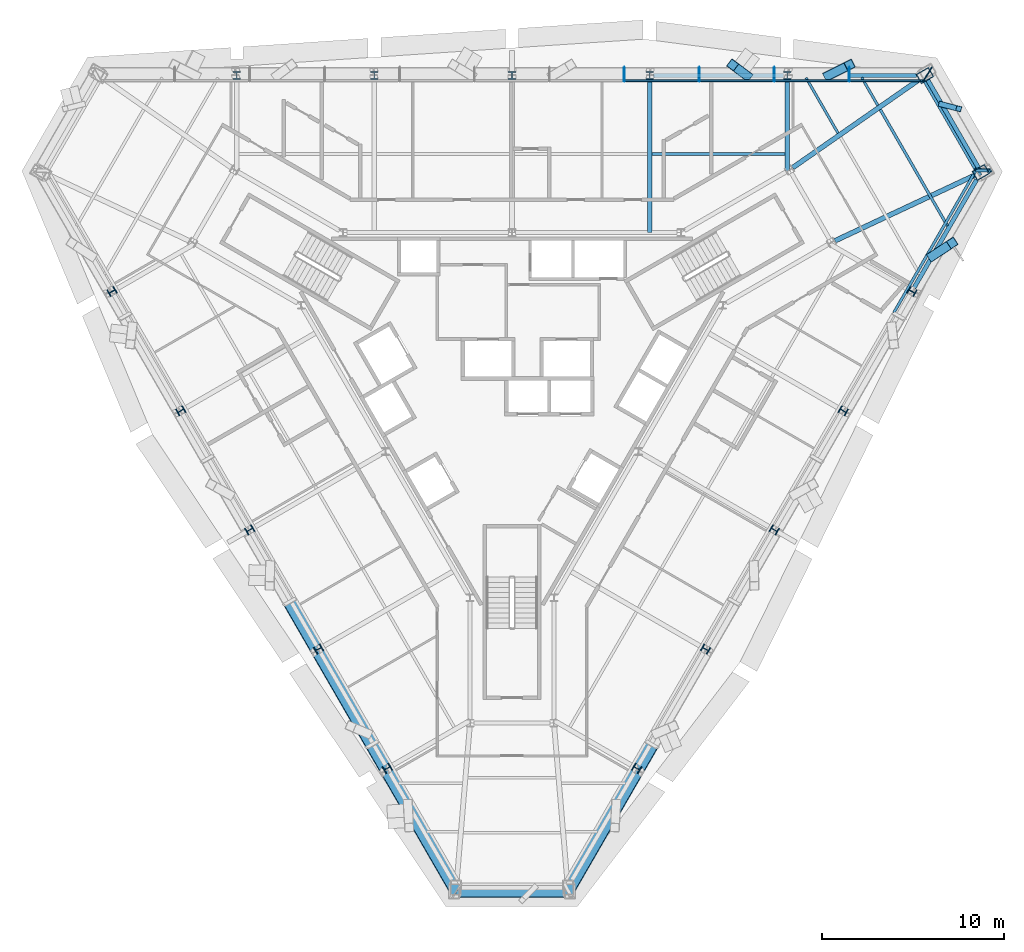
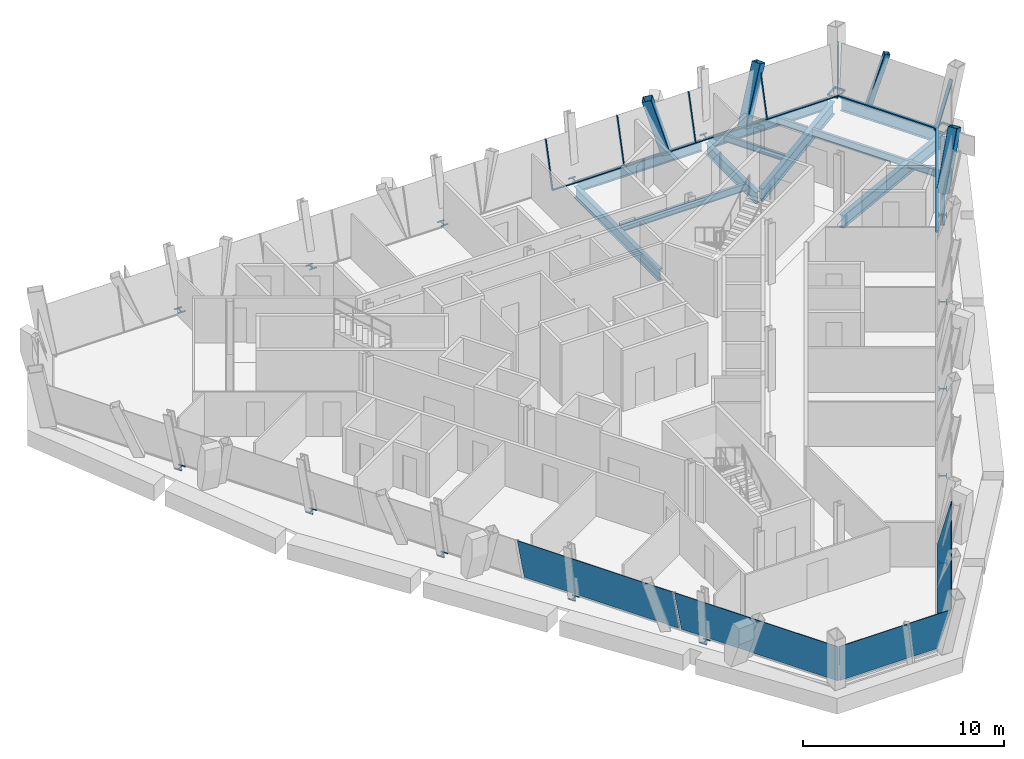
# One storey, part 4 of 11: 33 members, 12 beams, 4 plates, 5 elements without a shape of their own.
"""IFC4 building model written with IfcOpenShell, lengths in metres."""

from ifc_helpers import new_model, si_unit, direction, frame, origin, origin_2d, place, context, subcontext, project, spatial, polyline, rectangle, hollow_rectangle, i_section, outline, extrude, material, layer, layer_set, material_profile, profile_set, type_object, element, aggregate, save


model = new_model("IFC4")

# Units and contexts
model_context = context("Model", 3, precision=1e-05, world=origin(), true_north=direction((0.0, 1.0)))
body_context = subcontext(model_context, "Body", "Model", "MODEL_VIEW")
ifc_project = project(units=[si_unit("LENGTHUNIT", "METRE"), si_unit("AREAUNIT", "SQUARE_METRE"), si_unit("VOLUMEUNIT", "CUBIC_METRE"), si_unit("PLANEANGLEUNIT", "RADIAN"), si_unit("MASSUNIT", "GRAM", prefix="KILO")], contexts=[model_context])

# Site, building, storey
site_placement = place(None, origin())
site = spatial("IfcSite", under=ifc_project, at=site_placement, CompositionType="ELEMENT")
building_placement = place(site_placement, origin())
building = spatial("IfcBuilding", under=site, at=building_placement, Name="Verrane Prism Tower", CompositionType="ELEMENT")
storey_placement = place(building_placement, frame((0.0, 0.0, 156.199951171875)))
storey = spatial("IfcBuildingStorey", under=building, at=storey_placement, Name="L38", CompositionType="ELEMENT", Elevation=156.199951171875)

# Member
ifc_material_1 = material(Name="Steel A500 Grade C", Category="steel")
ifc_material_profile_1 = material_profile(ifc_material_1, hollow_rectangle(XDim=0.3046875, YDim=0.3046875, WallThickness=0.0126953125, InnerFilletRadius=0.00634765625, OuterFilletRadius=0.01904296875, at=origin_2d()), Name="HSS12x12x1/2")
ifc_profile_set_1 = profile_set([ifc_material_profile_1], Name="Steel A500 Grade C")
member_type_1 = type_object("IfcMemberType", Name="Chamfer brace HSS12x12x1/2", PredefinedType="BRACE", material=ifc_profile_set_1)
member_1_placement = place(storey_placement, frame((23.5498046875, 15.0361328125, -0.242431640625), z_axis=(0.291594677423, -0.075201915267, 0.953581258225), x_axis=(0.249727563096, 0.968316138578, 0.0)))
element("IfcMember", 1, at=member_1_placement, inside=storey, type_object=member_type_1, Name="Chamfer brace NE0 L38", PredefinedType="BRACE", context=body_context, shape_type="SweptSolid", body=[
    extrude(hollow_rectangle(XDim=0.3046875, YDim=0.3046875, WallThickness=0.0126953125, InnerFilletRadius=0.00634765625, OuterFilletRadius=0.01904296875, at=origin_2d()), origin(), (0.0, 0.0, 1.0), 3.259521484375),
])

# Beams
ifc_material_2 = material(Name="Steel A992", Category="steel")
ifc_material_profile_2 = material_profile(ifc_material_2, i_section(OverallWidth=0.2666015625, OverallDepth=0.7568359375, WebThickness=0.013916015625, FlangeThickness=0.019287109375, FilletRadius=0.0166015625, at=origin_2d()), Name="W30x108")
ifc_profile_set_2 = profile_set([ifc_material_profile_2], Name="Steel A992")
beam_type_1 = type_object("IfcBeamType", Name="Chamfer spandrel beam W30x108", PredefinedType="SPANDREL", material=ifc_profile_set_2)
beam_1_placement = place(storey_placement, frame((25.559814453125, 11.559814453125, -0.538330078125), z_axis=(-0.50050398262, 0.865734233689, 0.0), x_axis=(-0.865734233689, -0.50050398262, 0.0)))
element("IfcBeam", 2, at=beam_1_placement, inside=storey, type_object=beam_type_1, Name="Chamfer spandrel beam L38", PredefinedType="SPANDREL", context=body_context, shape_type="SweptSolid", body=[
    extrude(i_section(OverallWidth=0.2666015625, OverallDepth=0.7568359375, WebThickness=0.013916015625, FlangeThickness=0.019287109375, FilletRadius=0.0166015625, at=origin_2d()), origin(), (0.0, 0.0, 1.0), 5.533447265625),
])
ifc_material_3 = material(Name="Steel A992", Category="steel")
ifc_material_profile_3 = material_profile(ifc_material_3, i_section(OverallWidth=0.2666015625, OverallDepth=0.76708984375, WebThickness=0.014892578125, FlangeThickness=0.023681640625, FilletRadius=0.0166015625, at=origin_2d()), Name="W30x124")
ifc_profile_set_3 = profile_set([ifc_material_profile_3], Name="Steel A992")
beam_type_2 = type_object("IfcBeamType", Name="Corner girder W30x124", PredefinedType="BEAM", material=ifc_profile_set_3)
beam_2_placement = place(storey_placement, frame((25.702392578125, 11.29638671875, -0.603515625), z_axis=(-0.905415091001, -0.424527399571, 0.0), x_axis=(0.424527399571, -0.905415091001, 0.0)))
element("IfcBeam", 3, at=beam_2_placement, inside=storey, type_object=beam_type_2, Name="Corner girder L38", PredefinedType="BEAM", context=body_context, shape_type="SweptSolid", body=[
    extrude(i_section(OverallWidth=0.2666015625, OverallDepth=0.76708984375, WebThickness=0.014892578125, FlangeThickness=0.023681640625, FilletRadius=0.0166015625, at=origin_2d()), origin(), (0.0, 0.0, 1.0), 8.828125),
])
beam_3_placement = place(storey_placement, frame((22.310546875, 16.380615234375, -0.603515625), z_axis=(-0.820467710787, -0.571692868204, 0.0), x_axis=(0.571692868204, -0.820467710787, 0.0)))
element("IfcBeam", 4, at=beam_3_placement, inside=storey, type_object=beam_type_2, Name="Corner girder L38", PredefinedType="BEAM", context=body_context, shape_type="SweptSolid", body=[
    extrude(i_section(OverallWidth=0.2666015625, OverallDepth=0.76708984375, WebThickness=0.014892578125, FlangeThickness=0.023681640625, FilletRadius=0.0166015625, at=origin_2d()), origin(), (0.0, 0.0, 1.0), 8.432861328125),
])

# Members
ifc_material_4 = material(Name="Steel A500 Grade C", Category="steel")
ifc_material_profile_4 = material_profile(ifc_material_4, hollow_rectangle(XDim=0.508056640625, YDim=0.508056640625, WallThickness=0.01904296875, InnerFilletRadius=0.009521484375, OuterFilletRadius=0.028564453125, at=origin_2d()), Name="HSS20x20x3/4")
ifc_profile_set_4 = profile_set([ifc_material_profile_4], Name="Steel A500 Grade C")
member_type_2 = type_object("IfcMemberType", Name="Facade brace HSS20x20x3/4", PredefinedType="BRACE", material=ifc_profile_set_4)
member_2_placement = place(storey_placement, frame((17.346435546875, 16.610107421875, -0.216552734375), z_axis=(0.338411734481, 0.169276575919, 0.925647308002), x_axis=(-0.447363084018, 0.894352431124, 0.0)))
element("IfcMember", 5, at=member_2_placement, inside=storey, type_object=member_type_2, Name="Facade brace N0 L38", PredefinedType="BRACE", context=body_context, shape_type="SweptSolid", body=[
    extrude(hollow_rectangle(XDim=0.508056640625, YDim=0.508056640625, WallThickness=0.01904296875, InnerFilletRadius=0.009521484375, OuterFilletRadius=0.028564453125, at=origin_2d()), origin(), (0.0, 0.0, 1.0), 3.452880859375),
])
member_3_placement = place(storey_placement, frame((12.88134765625, 16.610107421875, -0.216552734375), z_axis=(-0.233445912657, 0.174920035963, 0.956507180779), x_axis=(-0.599639253753, -0.80027043264, 0.0)))
element("IfcMember", 6, at=member_3_placement, inside=storey, type_object=member_type_2, Name="Facade brace N1 L38", PredefinedType="BRACE", context=body_context, shape_type="SweptSolid", body=[
    extrude(hollow_rectangle(XDim=0.508056640625, YDim=0.508056640625, WallThickness=0.01904296875, InnerFilletRadius=0.009521484375, OuterFilletRadius=0.028564453125, at=origin_2d()), origin(), (0.0, 0.0, 1.0), 3.34130859375),
])
member_4_placement = place(storey_placement, frame((23.055908203125, 6.715087890625, -0.216552734375), z_axis=(0.31514104765, 0.207688914904, 0.92604073059), x_axis=(-0.550280695581, 0.834979733928, 0.0)))
element("IfcMember", 7, at=member_4_placement, inside=storey, type_object=member_type_2, Name="Facade brace SE5 L38", PredefinedType="BRACE", context=body_context, shape_type="SweptSolid", body=[
    extrude(hollow_rectangle(XDim=0.508056640625, YDim=0.508056640625, WallThickness=0.01904296875, InnerFilletRadius=0.009521484375, OuterFilletRadius=0.028564453125, at=origin_2d()), origin(), (0.0, 0.0, 1.0), 3.451416015625),
])

# Beams
ifc_material_5 = material(Name="Steel A992", Category="steel")
ifc_material_profile_5 = material_profile(ifc_material_5, i_section(OverallWidth=0.140380859375, OverallDepth=0.40380859375, WebThickness=0.007080078125, FlangeThickness=0.01123046875, FilletRadius=0.01025390625, at=origin_2d()), Name="W16x31")
ifc_profile_set_5 = profile_set([ifc_material_profile_5], Name="Steel A992")
beam_type_3 = type_object("IfcBeamType", Name="Floor beam W16x31", PredefinedType="BEAM", material=ifc_profile_set_5)
beam_4_placement = place(storey_placement, frame((20.0615234375, 14.97607421875, -0.36181640625), z_axis=(-0.499971461383, 0.866041879935, 0.0), x_axis=(-0.866041879935, -0.499971461383, 0.0)))
element("IfcBeam", 8, at=beam_4_placement, inside=storey, type_object=beam_type_3, Name="Floor beam L38", PredefinedType="BEAM", context=body_context, shape_type="SweptSolid", body=[
    extrude(i_section(OverallWidth=0.140380859375, OverallDepth=0.40380859375, WebThickness=0.007080078125, FlangeThickness=0.01123046875, FilletRadius=0.01025390625, at=origin_2d()), origin(), (0.0, 0.0, 1.0), 1.75390625),
])
beam_5_placement = place(storey_placement, frame((17.87939453125, 13.455810546875, -0.36181640625), z_axis=(-0.499977381828, 0.866038461998, 0.0), x_axis=(-0.866038461998, -0.499977381828, 0.0)))
element("IfcBeam", 9, at=beam_5_placement, inside=storey, type_object=beam_type_3, Name="Floor beam L38", PredefinedType="BEAM", context=body_context, shape_type="SweptSolid", body=[
    extrude(i_section(OverallWidth=0.140380859375, OverallDepth=0.40380859375, WebThickness=0.007080078125, FlangeThickness=0.01123046875, FilletRadius=0.01025390625, at=origin_2d()), origin(), (0.0, 0.0, 1.0), 3.509521484375),
])
ifc_material_6 = material(Name="Steel A992", Category="steel")
ifc_material_profile_6 = material_profile(ifc_material_6, i_section(OverallWidth=0.15234375, OverallDepth=0.449462890625, WebThickness=0.007568359375, FlangeThickness=0.0107421875, FilletRadius=0.01025390625, at=origin_2d()), Name="W18x35")
ifc_profile_set_6 = profile_set([ifc_material_profile_6], Name="Steel A992")
beam_type_4 = type_object("IfcBeamType", Name="Floor beam W18x35", PredefinedType="BEAM", material=ifc_profile_set_6)
beam_6_placement = place(storey_placement, frame((7.677001953125, 12.304931640625, -0.384765625), z_axis=(1.0, 0.0, 0.0), x_axis=(0.0, 1.0, 0.0)))
element("IfcBeam", 10, at=beam_6_placement, inside=storey, type_object=beam_type_4, Name="Floor beam L38", PredefinedType="BEAM", context=body_context, shape_type="SweptSolid", body=[
    extrude(i_section(OverallWidth=0.15234375, OverallDepth=0.449462890625, WebThickness=0.007568359375, FlangeThickness=0.0107421875, FilletRadius=0.01025390625, at=origin_2d()), origin(), (0.0, 0.0, 1.0), 7.2958984375),
])
beam_7_placement = place(storey_placement, frame((23.880126953125, 8.368408203125, -0.384765625), z_axis=(-0.500011344903, 0.866018853703, 0.0), x_axis=(-0.866018853703, -0.500011344903, 0.0)))
element("IfcBeam", 11, at=beam_7_placement, inside=storey, type_object=beam_type_4, Name="Floor beam L38", PredefinedType="BEAM", context=body_context, shape_type="SweptSolid", body=[
    extrude(i_section(OverallWidth=0.15234375, OverallDepth=0.449462890625, WebThickness=0.007568359375, FlangeThickness=0.0107421875, FilletRadius=0.01025390625, at=origin_2d()), origin(), (0.0, 0.0, 1.0), 7.364013671875),
])

# Members
ifc_material_7 = material(Name="Steel A572 Grade 50", Category="steel")
ifc_material_profile_7 = material_profile(ifc_material_7, hollow_rectangle(XDim=0.60009765625, YDim=0.800048828125, WallThickness=0.050048828125, at=origin_2d()), Name="BOX 800x600x50")
ifc_profile_set_7 = profile_set([ifc_material_profile_7], Name="Steel A572 Grade 50")
member_type_3 = type_object("IfcMemberType", Name="Kink node BOX 800x600x50", PredefinedType="COLLAR", material=ifc_profile_set_7)
for number, where, z_axis, x_axis, name in (
    (12, (25.717041015625, 11.300048828125, -0.06494140625), (0.0, 0.0, 1.0), (0.5, -0.866025403784, 0.0), "Kink node MC4 L38"),
    (13, (22.6435546875, 16.6162109375, -0.06494140625), (0.0, 0.0, 1.0), (0.5, -0.866025403784, 0.0), "Kink node MC4 L38"),
):
    element("IfcMember", number, at=place(storey_placement, frame(where, z_axis=z_axis, x_axis=x_axis)), inside=storey, type_object=member_type_3, Name=name, PredefinedType="COLLAR", context=body_context, shape_type="SweptSolid", body=[
        extrude(hollow_rectangle(XDim=0.60009765625, YDim=0.800048828125, WallThickness=0.050048828125, at=origin_2d()), origin(), (0.0, 0.0, 1.0), 0.1298828125),
    ])
ifc_material_8 = material(Name="Steel A992", Category="steel")
ifc_material_profile_8 = material_profile(ifc_material_8, i_section(OverallWidth=0.411376953125, OverallDepth=0.434326171875, WebThickness=0.035888671875, FlangeThickness=0.057373046875, FilletRadius=0.01513671875, at=origin_2d()), Name="W14x311")
ifc_profile_set_8 = profile_set([ifc_material_profile_8], Name="Steel A992")
member_type_4 = type_object("IfcMemberType", Name="Kink node W14x311", PredefinedType="COLLAR", material=ifc_profile_set_8)
member_5_placement = place(storey_placement, frame((15.101318359375, 16.61376953125, -0.0400390625), z_axis=(0.0, 0.0, 1.0), x_axis=(1.0, 0.0, 0.0)))
element("IfcMember", 14, at=member_5_placement, inside=storey, type_object=member_type_4, Name="Kink node PC6 L38", PredefinedType="COLLAR", context=body_context, shape_type="SweptSolid", body=[
    extrude(i_section(OverallWidth=0.411376953125, OverallDepth=0.434326171875, WebThickness=0.035888671875, FlangeThickness=0.057373046875, FilletRadius=0.01513671875, at=origin_2d()), origin(), (0.0, 0.0, 1.0), 0.080078125),
])
for number, where, z_axis, x_axis, name in (
    (15, (7.550537109375, 16.61328125, -0.034912109375), (0.0, 0.0, 1.0), (1.0, 0.0, 0.0), "Kink node PC6 L38"),
    (16, (0.0, 16.61328125, -0.034912109375), (0.0, 0.0, 1.0), (1.0, 0.0, 0.0), "Kink node PC6 L38"),
    (17, (-7.550537109375, 16.61328125, -0.034912109375), (0.0, 0.0, 1.0), (1.0, 0.0, 0.0), "Kink node PC6 L38"),
):
    element("IfcMember", number, at=place(storey_placement, frame(where, z_axis=z_axis, x_axis=x_axis)), inside=storey, type_object=member_type_4, Name=name, PredefinedType="COLLAR", context=body_context, shape_type="SweptSolid", body=[
        extrude(i_section(OverallWidth=0.411376953125, OverallDepth=0.434326171875, WebThickness=0.035888671875, FlangeThickness=0.057373046875, FilletRadius=0.01513671875, at=origin_2d()), origin(), (0.0, 0.0, 1.0), 0.070068359375),
    ])
for number, where, z_axis, x_axis, name in (
    (18, (-15.101318359375, 16.61376953125, -0.0400390625), (0.0, 0.0, 1.0), (1.0, 0.0, 0.0), "Kink node PC6 L38"),
    (19, (6.842529296875, -21.38330078125, -0.0400390625), (0.0, 0.0, 1.0), (-0.5, -0.866025403784, 0.0), "Kink node PC6 L38"),
):
    element("IfcMember", number, at=place(storey_placement, frame(where, z_axis=z_axis, x_axis=x_axis)), inside=storey, type_object=member_type_4, Name=name, PredefinedType="COLLAR", context=body_context, shape_type="SweptSolid", body=[
        extrude(i_section(OverallWidth=0.411376953125, OverallDepth=0.434326171875, WebThickness=0.035888671875, FlangeThickness=0.057373046875, FilletRadius=0.01513671875, at=origin_2d()), origin(), (0.0, 0.0, 1.0), 0.080078125),
    ])
for number, where, z_axis, x_axis, name in (
    (20, (10.612548828125, -14.84228515625, -0.034912109375), (0.0, 0.0, 1.0), (-0.5, -0.866025403784, 0.0), "Kink node PC6 L38"),
    (21, (14.3828125, -8.3017578125, -0.034912109375), (0.0, 0.0, 1.0), (-0.5, -0.866025403784, 0.0), "Kink node PC6 L38"),
    (22, (18.1630859375, -1.77099609375, -0.034912109375), (0.0, 0.0, 1.0), (-0.5, -0.866025403784, 0.0), "Kink node PC6 L38"),
):
    element("IfcMember", number, at=place(storey_placement, frame(where, z_axis=z_axis, x_axis=x_axis)), inside=storey, type_object=member_type_4, Name=name, PredefinedType="COLLAR", context=body_context, shape_type="SweptSolid", body=[
        extrude(i_section(OverallWidth=0.411376953125, OverallDepth=0.434326171875, WebThickness=0.035888671875, FlangeThickness=0.057373046875, FilletRadius=0.01513671875, at=origin_2d()), origin(), (0.0, 0.0, 1.0), 0.070068359375),
    ])
for number, where, z_axis, x_axis, name in (
    (23, (21.93408203125, 4.769287109375, -0.0400390625), (0.0, 0.0, 1.0), (-0.5, -0.866025403784, 0.0), "Kink node PC6 L38"),
    (24, (-21.93408203125, 4.769287109375, -0.0400390625), (0.0, 0.0, 1.0), (-0.5, 0.866025403784, 0.0), "Kink node PC6 L38"),
):
    element("IfcMember", number, at=place(storey_placement, frame(where, z_axis=z_axis, x_axis=x_axis)), inside=storey, type_object=member_type_4, Name=name, PredefinedType="COLLAR", context=body_context, shape_type="SweptSolid", body=[
        extrude(i_section(OverallWidth=0.411376953125, OverallDepth=0.434326171875, WebThickness=0.035888671875, FlangeThickness=0.057373046875, FilletRadius=0.01513671875, at=origin_2d()), origin(), (0.0, 0.0, 1.0), 0.080078125),
    ])
for number, where, z_axis, x_axis, name in (
    (25, (-18.1630859375, -1.77099609375, -0.034912109375), (0.0, 0.0, 1.0), (-0.5, 0.866025403784, 0.0), "Kink node PC6 L38"),
    (26, (-14.3828125, -8.3017578125, -0.034912109375), (0.0, 0.0, 1.0), (-0.5, 0.866025403784, 0.0), "Kink node PC6 L38"),
    (27, (-10.612548828125, -14.84228515625, -0.034912109375), (0.0, 0.0, 1.0), (-0.5, 0.866025403784, 0.0), "Kink node PC6 L38"),
):
    element("IfcMember", number, at=place(storey_placement, frame(where, z_axis=z_axis, x_axis=x_axis)), inside=storey, type_object=member_type_4, Name=name, PredefinedType="COLLAR", context=body_context, shape_type="SweptSolid", body=[
        extrude(i_section(OverallWidth=0.411376953125, OverallDepth=0.434326171875, WebThickness=0.035888671875, FlangeThickness=0.057373046875, FilletRadius=0.01513671875, at=origin_2d()), origin(), (0.0, 0.0, 1.0), 0.070068359375),
    ])
member_6_placement = place(storey_placement, frame((-6.842529296875, -21.38330078125, -0.0400390625), z_axis=(0.0, 0.0, 1.0), x_axis=(-0.5, 0.866025403784, 0.0)))
element("IfcMember", 28, at=member_6_placement, inside=storey, type_object=member_type_4, Name="Kink node PC6 L38", PredefinedType="COLLAR", context=body_context, shape_type="SweptSolid", body=[
    extrude(i_section(OverallWidth=0.411376953125, OverallDepth=0.434326171875, WebThickness=0.035888671875, FlangeThickness=0.057373046875, FilletRadius=0.01513671875, at=origin_2d()), origin(), (0.0, 0.0, 1.0), 0.080078125),
])

# Curtain wall, members
ifc_material_9 = material(Name="Aluminium framed insulated glazing", Category="aluminium")
curtain_wall_type_1 = type_object("IfcCurtainWallType", Name="Curtain wall CW-C 4200 module", PredefinedType="NOTDEFINED", material=ifc_material_9)
curtain_wall_1_placement = place(storey_placement, origin())
curtain_wall_1 = element("IfcCurtainWall", 29, at=curtain_wall_1_placement, inside=storey, type_object=curtain_wall_type_1, Name="Glazed curtain wall north face L38", PredefinedType="NOTDEFINED")
ifc_material_10 = material(Name="Aluminium alloy 6063-T6", Category="aluminium")
ifc_material_profile_9 = material_profile(ifc_material_10, rectangle(XDim=0.139892578125, YDim=0.050048828125, at=origin_2d()), Name="Mullion 50x140 aluminium")
ifc_profile_set_9 = profile_set([ifc_material_profile_9], Name="Aluminium alloy 6063-T6")
member_type_5 = type_object("IfcMemberType", Name="Mullion 50x140 aluminium", PredefinedType="MULLION", material=ifc_profile_set_9)
member_7_placement = place(storey_placement, frame((22.57470703125, 16.3310546875, 0.0), z_axis=(0.15142416733, 0.246947148882, 0.957124770972), x_axis=(0.500323920507, 0.815943504035, -0.28967597897)))
member_7 = element("IfcMember", 30, at=member_7_placement, type_object=member_type_5, Name="CW36.2 mullion 1", PredefinedType="MULLION", context=body_context, shape_type="SweptSolid", body=[
    extrude(rectangle(XDim=0.139892578125, YDim=0.050048828125, at=origin_2d()), origin(), (0.0, 0.0, 1.0), 2.83447265625),
])
member_8_placement = place(storey_placement, frame((18.490478515625, 16.3310546875, 0.0), z_axis=(0.0, 0.249827945556, 0.968290244513), x_axis=(0.0, 0.968290244513, -0.249827945556)))
member_8 = element("IfcMember", 31, at=member_8_placement, type_object=member_type_5, Name="CW36.2 mullion 2", PredefinedType="MULLION", context=body_context, shape_type="SweptSolid", body=[
    extrude(rectangle(XDim=0.139892578125, YDim=0.050048828125, at=origin_2d()), origin(), (0.0, 0.0, 1.0), 2.8017578125),
])
member_9_placement = place(storey_placement, frame((14.381591796875, 16.3310546875, 0.0), z_axis=(0.0, 0.249827945556, 0.968290244513), x_axis=(0.0, 0.968290244513, -0.249827945556)))
member_9 = element("IfcMember", 32, at=member_9_placement, type_object=member_type_5, Name="CW36.2 mullion 3", PredefinedType="MULLION", context=body_context, shape_type="SweptSolid", body=[
    extrude(rectangle(XDim=0.139892578125, YDim=0.050048828125, at=origin_2d()), origin(), (0.0, 0.0, 1.0), 2.8017578125),
])
member_10_placement = place(storey_placement, frame((10.2724609375, 16.3310546875, 0.0), z_axis=(0.0, 0.249827945556, 0.968290244513), x_axis=(0.0, 0.968290244513, -0.249827945556)))
member_10 = element("IfcMember", 33, at=member_10_placement, type_object=member_type_5, Name="CW36.2 mullion 4", PredefinedType="MULLION", context=body_context, shape_type="SweptSolid", body=[
    extrude(rectangle(XDim=0.139892578125, YDim=0.050048828125, at=origin_2d()), origin(), (0.0, 0.0, 1.0), 2.8017578125),
])
member_11_placement = place(storey_placement, frame((6.16357421875, 16.3310546875, 0.0), z_axis=(0.0, 0.249827945556, 0.968290244513), x_axis=(0.0, 0.968290244513, -0.249827945556)))
member_11 = element("IfcMember", 34, at=member_11_placement, type_object=member_type_5, Name="CW36.2 mullion 5", PredefinedType="MULLION", context=body_context, shape_type="SweptSolid", body=[
    extrude(rectangle(XDim=0.139892578125, YDim=0.050048828125, at=origin_2d()), origin(), (0.0, 0.0, 1.0), 2.8017578125),
])

# Curtain wall, member
ifc_material_11 = material(Name="Aluminium framed insulated glazing", Category="aluminium")
curtain_wall_type_2 = type_object("IfcCurtainWallType", Name="Curtain wall CW-A 8400 module", PredefinedType="NOTDEFINED", material=ifc_material_11)
curtain_wall_2_placement = place(storey_placement, origin())
curtain_wall_2 = element("IfcCurtainWall", 35, at=curtain_wall_2_placement, inside=storey, type_object=curtain_wall_type_2, Name="Glazed curtain wall north-east corner L38", PredefinedType="NOTDEFINED")
ifc_material_12 = material(Name="Aluminium alloy 6063-T6", Category="aluminium")
ifc_material_profile_10 = material_profile(ifc_material_12, rectangle(XDim=0.199951171875, YDim=0.070068359375, at=origin_2d()), Name="Mullion 70x200 aluminium")
ifc_profile_set_10 = profile_set([ifc_material_profile_10], Name="Aluminium alloy 6063-T6")
member_type_6 = type_object("IfcMemberType", Name="Mullion 70x200 aluminium", PredefinedType="MULLION", material=ifc_profile_set_10)
member_12_placement = place(storey_placement, frame((25.42529296875, 11.4365234375, 0.0), z_axis=(0.291230931481, -0.01058865048, 0.956594179906), x_axis=(0.446517859967, -0.882830475184, -0.145712569179)))
member_12 = element("IfcMember", 36, at=member_12_placement, type_object=member_type_6, Name="CW36.1 mullion 1", PredefinedType="MULLION", context=body_context, shape_type="SweptSolid", body=[
    extrude(rectangle(XDim=0.199951171875, YDim=0.070068359375, at=origin_2d()), origin(), (0.0, 0.0, 1.0), 2.8359375),
])

# Beams
ifc_material_13 = material(Name="Steel A992", Category="steel")
ifc_material_profile_11 = material_profile(ifc_material_13, i_section(OverallWidth=0.25390625, OverallDepth=0.683349609375, WebThickness=0.012451171875, FlangeThickness=0.01904296875, FilletRadius=0.01513671875, at=origin_2d()), Name="W27x94")
ifc_profile_set_11 = profile_set([ifc_material_profile_11], Name="Steel A992")
beam_type_5 = type_object("IfcBeamType", Name="Radial girder W27x94", PredefinedType="BEAM", material=ifc_profile_set_11)
beam_8_placement = place(storey_placement, frame((15.10009765625, 16.392822265625, -0.5615234375), z_axis=(0.0, -1.0, 0.0), x_axis=(1.0, 0.0, 0.0)))
element("IfcBeam", 37, at=beam_8_placement, inside=storey, type_object=beam_type_5, Name="Radial girder L38", PredefinedType="BEAM", context=body_context, shape_type="SweptSolid", body=[
    extrude(i_section(OverallWidth=0.25390625, OverallDepth=0.683349609375, WebThickness=0.012451171875, FlangeThickness=0.01904296875, FilletRadius=0.01513671875, at=origin_2d()), origin(), (0.0, 0.0, 1.0), 5.022216796875),
])
beam_9_placement = place(storey_placement, frame((7.550048828125, 16.392822265625, -0.5615234375), z_axis=(0.0, -1.0, 0.0), x_axis=(1.0, 0.0, 0.0)))
element("IfcBeam", 38, at=beam_9_placement, inside=storey, type_object=beam_type_5, Name="Radial girder L38", PredefinedType="BEAM", context=body_context, shape_type="SweptSolid", body=[
    extrude(i_section(OverallWidth=0.25390625, OverallDepth=0.683349609375, WebThickness=0.012451171875, FlangeThickness=0.01904296875, FilletRadius=0.01513671875, at=origin_2d()), origin(), (0.0, 0.0, 1.0), 8.392822265625),
])
ifc_material_14 = material(Name="Steel A992", Category="steel")
ifc_material_profile_12 = material_profile(ifc_material_14, i_section(OverallWidth=0.23046875, OverallDepth=0.6171875, WebThickness=0.01318359375, FlangeThickness=0.022216796875, FilletRadius=0.012939453125, at=origin_2d()), Name="W24x94")
ifc_profile_set_12 = profile_set([ifc_material_profile_12], Name="Steel A992")
beam_type_6 = type_object("IfcBeamType", Name="Spandrel beam W24x94", PredefinedType="SPANDREL", material=ifc_profile_set_12)
beam_10_placement = place(storey_placement, frame((22.177978515625, 16.610107421875, -0.468505859375), z_axis=(-1.0, 0.0, 0.0), x_axis=(0.0, -1.0, 0.0)))
element("IfcBeam", 39, at=beam_10_placement, inside=storey, type_object=beam_type_6, Name="Spandrel beam L38", PredefinedType="SPANDREL", context=body_context, shape_type="SweptSolid", body=[
    extrude(i_section(OverallWidth=0.23046875, OverallDepth=0.6171875, WebThickness=0.01318359375, FlangeThickness=0.022216796875, FilletRadius=0.012939453125, at=origin_2d()), origin(), (0.0, 0.0, 1.0), 6.872314453125),
])
beam_11_placement = place(storey_placement, frame((14.894287109375, 16.610107421875, -0.468505859375), z_axis=(-1.0, 0.0, 0.0), x_axis=(0.0, -1.0, 0.0)))
element("IfcBeam", 40, at=beam_11_placement, inside=storey, type_object=beam_type_6, Name="Spandrel beam L38", PredefinedType="SPANDREL", context=body_context, shape_type="SweptSolid", body=[
    extrude(i_section(OverallWidth=0.23046875, OverallDepth=0.6171875, WebThickness=0.01318359375, FlangeThickness=0.022216796875, FilletRadius=0.012939453125, at=origin_2d()), origin(), (0.0, 0.0, 1.0), 7.138671875),
])
beam_12_placement = place(storey_placement, frame((22.033203125, 4.947998046875, -0.468505859375), z_axis=(0.500974701182, 0.865461927976, 0.0), x_axis=(-0.865461927976, 0.500974701182, 0.0)))
element("IfcBeam", 41, at=beam_12_placement, inside=storey, type_object=beam_type_6, Name="Spandrel beam L38", PredefinedType="SPANDREL", context=body_context, shape_type="SweptSolid", body=[
    extrude(i_section(OverallWidth=0.23046875, OverallDepth=0.6171875, WebThickness=0.01318359375, FlangeThickness=0.022216796875, FilletRadius=0.012939453125, at=origin_2d()), origin(), (0.0, 0.0, 1.0), 6.877685546875),
])

# Member
ifc_material_15 = material(Name="Aluminium alloy 6063-T6", Category="aluminium")
ifc_material_profile_13 = material_profile(ifc_material_15, rectangle(XDim=0.10009765625, YDim=0.050048828125, at=origin_2d()), Name="Transom 50x100 aluminium")
ifc_profile_set_13 = profile_set([ifc_material_profile_13], Name="Aluminium alloy 6063-T6")
member_type_7 = type_object("IfcMemberType", Name="Transom 50x100 aluminium", PredefinedType="USERDEFINED", material=ifc_profile_set_13)
member_13_placement = place(storey_placement, frame((22.549560546875, 16.3310546875, 0.025146484375), z_axis=(-1.0, 0.0, 0.0), x_axis=(0.0, -1.0, 0.0)))
member_13 = element("IfcMember", 42, at=member_13_placement, type_object=member_type_7, Name="CW36.2 transom 1", ObjectType="TRANSOM", PredefinedType="USERDEFINED", context=body_context, shape_type="SweptSolid", body=[
    extrude(rectangle(XDim=0.10009765625, YDim=0.050048828125, at=origin_2d()), origin(), (0.0, 0.0, 1.0), 4.033935546875),
])

member_14_placement = place(storey_placement, frame((18.465576171875, 16.3310546875, 0.025146484375), z_axis=(-1.0, 0.0, 0.0), x_axis=(0.0, -1.0, 0.0)))
member_14 = element("IfcMember", 43, at=member_14_placement, type_object=member_type_7, Name="CW36.2 transom 2", ObjectType="TRANSOM", PredefinedType="USERDEFINED", context=body_context, shape_type="SweptSolid", body=[
    extrude(rectangle(XDim=0.10009765625, YDim=0.050048828125, at=origin_2d()), origin(), (0.0, 0.0, 1.0), 4.05908203125),
])

member_15_placement = place(storey_placement, frame((14.3564453125, 16.3310546875, 0.025146484375), z_axis=(-1.0, 0.0, 0.0), x_axis=(0.0, -1.0, 0.0)))
member_15 = element("IfcMember", 44, at=member_15_placement, type_object=member_type_7, Name="CW36.2 transom 3", ObjectType="TRANSOM", PredefinedType="USERDEFINED", context=body_context, shape_type="SweptSolid", body=[
    extrude(rectangle(XDim=0.10009765625, YDim=0.050048828125, at=origin_2d()), origin(), (0.0, 0.0, 1.0), 4.058837890625),
])

member_16_placement = place(storey_placement, frame((10.24755859375, 16.3310546875, 0.025146484375), z_axis=(-1.0, 0.0, 0.0), x_axis=(0.0, -1.0, 0.0)))
member_16 = element("IfcMember", 45, at=member_16_placement, type_object=member_type_7, Name="CW36.2 transom 4", ObjectType="TRANSOM", PredefinedType="USERDEFINED", context=body_context, shape_type="SweptSolid", body=[
    extrude(rectangle(XDim=0.10009765625, YDim=0.050048828125, at=origin_2d()), origin(), (0.0, 0.0, 1.0), 4.05908203125),
])

aggregate(curtain_wall_1, [member_7, member_8, member_9, member_10, member_11, member_13, member_14, member_15, member_16])

ifc_material_16 = material(Name="Aluminium alloy 6063-T6", Category="aluminium")
ifc_material_profile_14 = material_profile(ifc_material_16, rectangle(XDim=0.14990234375, YDim=0.070068359375, at=origin_2d()), Name="Transom 70x150 aluminium")
ifc_profile_set_14 = profile_set([ifc_material_profile_14], Name="Aluminium alloy 6063-T6")
member_type_8 = type_object("IfcMemberType", Name="Transom 70x150 aluminium", PredefinedType="USERDEFINED", material=ifc_profile_set_14)
member_17_placement = place(storey_placement, frame((25.407958984375, 11.467041015625, 0.03515625), z_axis=(-0.50001468958, 0.866016922585, 0.0), x_axis=(-0.866016922585, -0.50001468958, 0.0)))
member_17 = element("IfcMember", 46, at=member_17_placement, type_object=member_type_8, Name="CW36.1 transom 1", ObjectType="TRANSOM", PredefinedType="USERDEFINED", context=body_context, shape_type="SweptSolid", body=[
    extrude(rectangle(XDim=0.14990234375, YDim=0.070068359375, at=origin_2d()), origin(), (0.0, 0.0, 1.0), 5.616455078125),
])

aggregate(curtain_wall_2, [member_12, member_17])

# Curtain wall, member
curtain_wall_3_placement = place(storey_placement, origin())
curtain_wall_3 = element("IfcCurtainWall", 47, at=curtain_wall_3_placement, inside=storey, type_object=curtain_wall_type_2, Name="Glazed curtain wall south-east face L38", PredefinedType="NOTDEFINED")
member_18_placement = place(storey_placement, frame((20.9404296875, 3.60791015625, 0.03515625), z_axis=(0.500005646842, 0.866022143554, 0.0), x_axis=(-0.866022143554, 0.500005646842, 0.0)))
member_18 = element("IfcMember", 48, at=member_18_placement, type_object=member_type_8, Name="CW36.6 transom 5", ObjectType="TRANSOM", PredefinedType="USERDEFINED", context=body_context, shape_type="SweptSolid", body=[
    extrude(rectangle(XDim=0.14990234375, YDim=0.070068359375, at=origin_2d()), origin(), (0.0, 0.0, 1.0), 9.0048828125),
])

# Curtain wall, plates
curtain_wall_4_placement = place(storey_placement, origin())
curtain_wall_4 = element("IfcCurtainWall", 49, at=curtain_wall_4_placement, inside=storey, type_object=curtain_wall_type_2, Name="Glazed curtain wall south-west face L38", PredefinedType="NOTDEFINED")
ifc_material_17 = material(Name="Low-iron insulating glass unit", Category="glass")
ifc_layer = layer(ifc_material_17, 0.031982421875)
ifc_layer_set = layer_set([ifc_layer], Name="Glazing panel IGU 32")
plate_type = type_object("IfcPlateType", Name="Glazing panel IGU 32", PredefinedType="CURTAIN_PANEL", material=ifc_layer_set)
plate_1_placement = place(storey_placement, frame((-11.86572265625, -12.110107421875, 0.070068359375), z_axis=(0.837145025554, 0.483348773161, 0.256051107544), x_axis=(0.500017741834, -0.866015160289, 0.0)))
plate_1 = element("IfcPlate", 50, at=plate_1_placement, type_object=plate_type, Name="CW36.4 panel 4", PredefinedType="CURTAIN_PANEL", context=body_context, shape_type="SweptSolid", body=[
    extrude(outline(polyline([(0.0, 0.0), (8.96989655891683, -3.3306690738754696e-16), (8.96997509575301, -2.733963743579931), (7.853683618008755e-05, -2.733963743579931), (0.0, 0.0)])), origin(), (0.0, 0.0, -1.0), 0.031982421875),
])
plate_2_placement = place(storey_placement, frame((-7.345703125, -19.93896484375, 0.070068359375), z_axis=(0.837160042519, 0.48333531627, 0.256027411142), x_axis=(0.500000906919, -0.866024880173, -1.449606e-06)))
plate_2 = element("IfcPlate", 51, at=plate_2_placement, type_object=plate_type, Name="CW36.4 panel 5", PredefinedType="CURTAIN_PANEL", context=body_context, shape_type="SweptSolid", body=[
    extrude(outline(polyline([(0.0, 0.0), (9.00478111520396, -2.220446049250313e-16), (9.409137112127505, -2.7339601022397364), (-0.00012311781686210826, -2.733932488761135), (0.0, 0.0)])), origin(), (0.0, 0.0, -1.0), 0.031982421875),
])
aggregate(curtain_wall_4, [plate_1, plate_2])

# Curtain wall, plate
curtain_wall_5_placement = place(storey_placement, origin())
curtain_wall_5 = element("IfcCurtainWall", 52, at=curtain_wall_5_placement, inside=storey, type_object=curtain_wall_type_2, Name="Glazed curtain wall south corner L38", PredefinedType="NOTDEFINED")
plate_3_placement = place(storey_placement, frame((-2.773193359375, -27.7373046875, 0.070068359375), z_axis=(0.0, 0.966648680287, 0.256106089151), x_axis=(1.0, 0.0, 0.0)))
plate_3 = element("IfcPlate", 53, at=plate_3_placement, type_object=plate_type, Name="CW36.5 panel 1", PredefinedType="CURTAIN_PANEL", context=body_context, shape_type="SweptSolid", body=[
    extrude(outline(polyline([(0.0, 0.0), (5.616455078125, 0.0), (6.0205078125, -2.7340049384246234), (-0.439208984375, -2.7340049384246234), (0.0, 0.0)])), origin(), (0.0, 0.0, -1.0), 0.031982421875),
])
aggregate(curtain_wall_5, [plate_3])

# Plate
plate_4_placement = place(storey_placement, frame((2.87841796875, -27.6767578125, 0.070068359375), z_axis=(-0.837170510732, 0.483325565005, 0.256011589921), x_axis=(0.499988360642, 0.866032123667, 1.78721e-07)))
plate_4 = element("IfcPlate", 54, at=plate_4_placement, type_object=plate_type, Name="CW36.6 panel 1", PredefinedType="CURTAIN_PANEL", context=body_context, shape_type="SweptSolid", body=[
    extrude(outline(polyline([(0.0, 0.0), (8.934767859012881, -2.220446049250313e-16), (8.934877478375949, -2.7339324898039714), (-0.43937612413645494, -2.7339358748151534), (0.0, 0.0)])), origin(), (0.0, 0.0, -1.0), 0.031982421875),
])

aggregate(curtain_wall_3, [plate_4, member_18])

save(model, "model.ifc")
